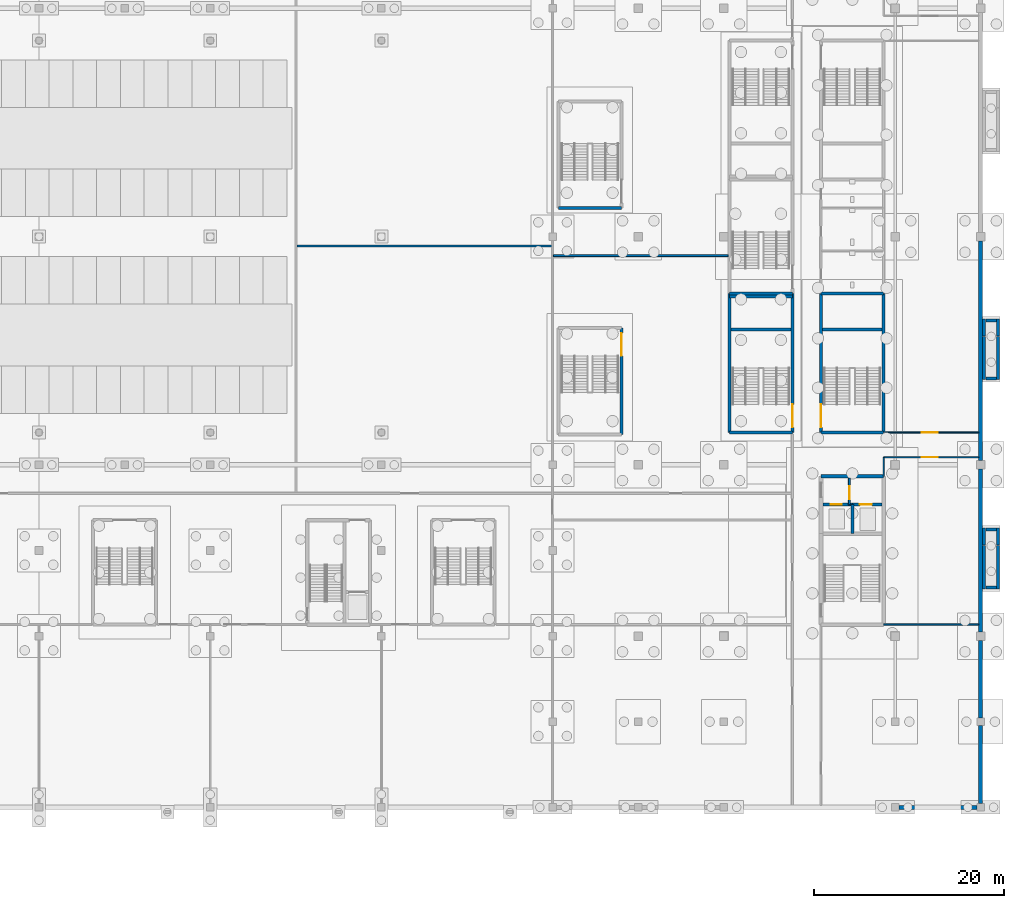
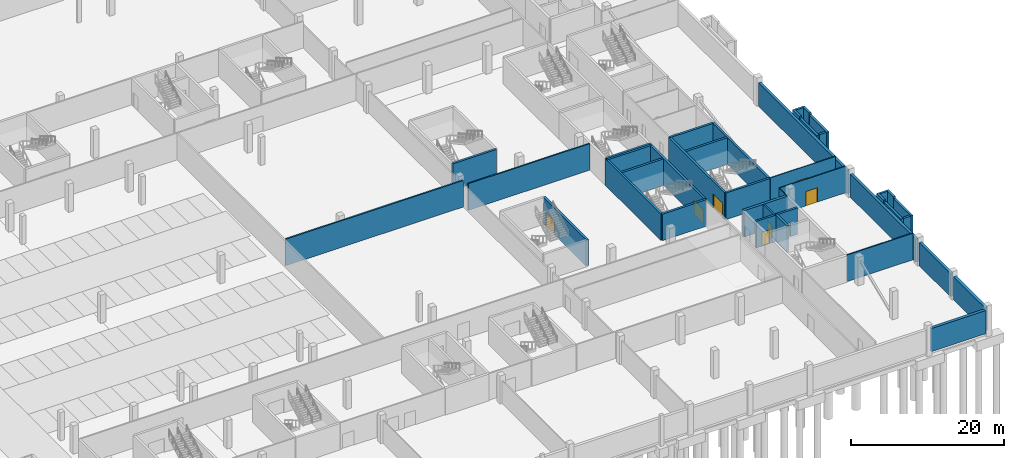
# One storey, part 22 of 46: 41 walls, 8 doors, 8 openings.
"""IFC4 building model written with IfcOpenShell, lengths in metres."""

from ifc_helpers import new_model, si_unit, direction, frame, frame_2d, origin, place, context, subcontext, project, spatial, rectangle, extrude, material, layer, layer_set, type_object, element, fill, save


model = new_model("IFC4")

# Units and contexts
model_context = context("Model", 3, precision=1e-05, world=origin(), true_north=direction((0.0, 1.0)))
body_context = subcontext(model_context, "Body", "Model", "MODEL_VIEW")
ifc_project = project(units=[si_unit("LENGTHUNIT", "METRE"), si_unit("AREAUNIT", "SQUARE_METRE"), si_unit("VOLUMEUNIT", "CUBIC_METRE"), si_unit("PLANEANGLEUNIT", "RADIAN"), si_unit("MASSUNIT", "GRAM", prefix="KILO")], contexts=[model_context])

# Site, building, storey
site_placement = place(None, origin())
site = spatial("IfcSite", under=ifc_project, at=site_placement, CompositionType="ELEMENT")
building_placement = place(site_placement, origin())
building = spatial("IfcBuilding", under=site, at=building_placement, Name="Kisiwana Market Hall", CompositionType="ELEMENT")
storey_placement = place(building_placement, frame((0.0, 0.0, -4.5)))
storey = spatial("IfcBuildingStorey", under=building, at=storey_placement, Name="B1", CompositionType="ELEMENT", Elevation=-4.5)

# Walls
ifc_material_1 = material(Name="Concrete C40/50", Category="concrete")
ifc_layer_1 = layer(ifc_material_1, 0.360107421875, Name="Waterproofed RC retaining wall")
ifc_material_2 = material(Name="Mineral wool insulation")
ifc_layer_2 = layer(ifc_material_2, 0.06005859375, Name="XPS drainage protection board")
ifc_layer_set_1 = layer_set([ifc_layer_1, ifc_layer_2], Name="WL-B1-RET-420")
wall_type_1 = type_object("IfcWallType", Name="WL-B1-RET-420", PredefinedType="STANDARD", material=ifc_layer_set_1)
for number, where, z_axis, x_axis, name in (
    (1, (189.39208984375, 0.0, 0.0), (0.0, 0.0, 1.0), (1.0, 0.0, 0.0), "Exterior wall W-0168"),
    (2, (198.0, 0.39208984375, 0.0), (0.0, 0.0, 1.0), (0.0, 1.0, 0.0), "Exterior wall W-0192"),
):
    element("IfcWall", number, at=place(storey_placement, frame(where, z_axis=z_axis, x_axis=x_axis)), inside=storey, type_object=wall_type_1, Name=name, PredefinedType="STANDARD", context=body_context, shape_type="SweptSolid", body=[
        extrude(rectangle(XDim=8.2158203125, YDim=0.419921875, at=frame_2d((4.10791015625, 0.0))), origin(), (0.0, 0.0, 1.0), 3.699951171875),
    ])
wall_1_placement = place(storey_placement, frame((198.0, 9.39208984375, 0.0), z_axis=(0.0, 0.0, 1.0), x_axis=(0.0, 1.0, 0.0)))
element("IfcWall", 3, at=wall_1_placement, inside=storey, type_object=wall_type_1, Name="Exterior wall W-0193", PredefinedType="STANDARD", context=body_context, shape_type="SweptSolid", body=[
    extrude(rectangle(XDim=8.166015625, YDim=0.419921875, at=frame_2d((4.0830078125, 0.0))), origin(), (0.0, 0.0, 1.0), 3.699951171875),
])
wall_2_placement = place(storey_placement, frame((198.0, 18.44189453125, 0.0), z_axis=(0.0, 0.0, 1.0), x_axis=(0.0, 1.0, 0.0)))
element("IfcWall", 4, at=wall_2_placement, inside=storey, type_object=wall_type_1, Name="Exterior wall W-0194", PredefinedType="STANDARD", context=body_context, shape_type="SweptSolid", body=[
    extrude(rectangle(XDim=17.1162109375, YDim=0.419921875, at=frame_2d((8.55810546875, 0.0))), origin(), (0.0, 0.0, 1.0), 3.699951171875),
])
wall_3_placement = place(storey_placement, frame((198.0, 36.44189453125, 0.0), z_axis=(0.0, 0.0, 1.0), x_axis=(0.0, 1.0, 0.0)))
element("IfcWall", 5, at=wall_3_placement, inside=storey, type_object=wall_type_1, Name="Exterior wall W-0195", PredefinedType="STANDARD", context=body_context, shape_type="SweptSolid", body=[
    extrude(rectangle(XDim=23.1162109375, YDim=0.419921875, at=frame_2d((11.55810546875, 0.0))), origin(), (0.0, 0.0, 1.0), 3.699951171875),
])
ifc_material_3 = material(Name="Steel S275", Category="steel")
ifc_layer_3 = layer(ifc_material_3, 0.010009765625, Name="Food-grade steel inner skin")
ifc_material_4 = material(Name="PIR insulation")
ifc_layer_4 = layer(ifc_material_4, 0.199951171875, Name="High-density PIR thermal core")
ifc_material_5 = material(Name="Steel S275", Category="steel")
ifc_layer_5 = layer(ifc_material_5, 0.010009765625, Name="Food-grade steel outer skin")
ifc_layer_set_2 = layer_set([ifc_layer_3, ifc_layer_4, ifc_layer_5], Name="WL-COLD-220")
wall_type_2 = type_object("IfcWallType", Name="WL-COLD-220", PredefinedType="PARTITIONING", material=ifc_layer_set_2)
wall_4_placement = place(storey_placement, frame((126.110107421875, 59.0, 0.0), z_axis=(0.0, 0.0, 1.0), x_axis=(1.0, 0.0, 0.0)))
element("IfcWall", 6, at=wall_4_placement, inside=storey, type_object=wall_type_2, Name="Interior partition W-0281", PredefinedType="PARTITIONING", context=body_context, shape_type="SweptSolid", body=[
    extrude(rectangle(XDim=26.804931640625, YDim=0.219970703125, at=frame_2d((13.40234375, 0.0))), origin(), (0.0, 0.0, 1.0), 4.239990234375),
])

# Wall, opening, door
ifc_material_6 = material(Name="Masonry blockwork", Category="masonry")
ifc_layer_6 = layer(ifc_material_6, 0.199951171875, Name="Plastered fire compartment block wall")
ifc_layer_set_3 = layer_set([ifc_layer_6], Name="WL-COMP-200")
wall_type_3 = type_object("IfcWallType", Name="WL-COMP-200", PredefinedType="PARTITIONING", material=ifc_layer_set_3)
wall_5_placement = place(storey_placement, frame((184.199951171875, 31.820068359375, 0.0), z_axis=(0.0, 0.0, 1.0), x_axis=(0.0, 1.0, 0.0)))
wall_5 = element("IfcWall", 7, at=wall_5_placement, inside=storey, type_object=wall_type_3, Name="Core E2 firefighting lobby wall W-0203", PredefinedType="PARTITIONING", context=body_context, shape_type="SweptSolid", body=[
    extrude(rectangle(XDim=2.780029296875, YDim=0.199951171875, at=frame_2d((1.39013671875, 0.0))), origin(), (0.0, 0.0, 1.0), 4.239990234375),
])
opening_1_placement = place(wall_5_placement, frame((0.550048828125, 0.0, 0.0)))
opening_1 = element("IfcOpeningElement", 8, at=opening_1_placement, cuts=wall_5, Name="Opening DR-B1-009", PredefinedType="OPENING", context=body_context, shape_type="SweptSolid", body=[
    extrude(rectangle(XDim=1.39990234375, YDim=2.25, at=frame_2d((0.699951171875, 1.125))), frame((0.0, 0.11181640625, 0.0), z_axis=(0.0, -1.0, 0.0), x_axis=(1.0, 0.0, 0.0)), (0.0, 0.0, 1.0), 0.223876953125),
])
ifc_material_7 = material(Name="Steel S275", Category="steel")
door_type_1 = type_object("IfcDoorType", Name="DR-FFLOB-FD120-1400", OperationType="DOUBLE_DOOR_SINGLE_SWING", PredefinedType="DOOR", material=ifc_material_7)
door_1_placement = place(opening_1_placement, origin())
door_1 = element("IfcDoor", 9, at=door_1_placement, inside=storey, type_object=door_type_1, Name="Firefighting Lift Lobby E2 Door (B1)", OperationType="DOUBLE_DOOR_SINGLE_SWING", OverallHeight=2.25, OverallWidth=1.39990234375, PredefinedType="DOOR", context=body_context, shape_type="SweptSolid", body=[
    extrude(rectangle(XDim=1.39990234375, YDim=2.25, at=frame_2d((0.699951171875, 1.125))), frame((0.0, 0.02490234375, 0.0), z_axis=(0.0, -1.0, 0.0), x_axis=(1.0, 0.0, 0.0)), (0.0, 0.0, 1.0), 0.050048828125),
])
fill(opening_1, door_1)

# Walls
wall_6_placement = place(storey_placement, frame((153.0849609375, 58.0, 0.0), z_axis=(0.0, 0.0, 1.0), x_axis=(1.0, 0.0, 0.0)))
element("IfcWall", 10, at=wall_6_placement, inside=storey, type_object=wall_type_3, Name="Interior partition W-0254", PredefinedType="PARTITIONING", context=body_context, shape_type="SweptSolid", body=[
    extrude(rectangle(XDim=18.35498046875, YDim=0.199951171875, at=frame_2d((9.177490234375, 0.0))), origin(), (0.0, 0.0, 1.0), 4.239990234375),
])
ifc_material_8 = material(Name="Concrete C40/50", Category="concrete")
ifc_layer_7 = layer(ifc_material_8, 0.320068359375, Name="Reinforced concrete shaft wall")
ifc_layer_set_4 = layer_set([ifc_layer_7], Name="WL-CORE-320")
wall_type_4 = type_object("IfcWallType", Name="WL-CORE-320", PredefinedType="SHEAR", material=ifc_layer_set_4)
for number, where, z_axis, x_axis, name in (
    (11, (198.360107421875, 22.949951171875, -0.449951171875), (0.0, 0.0, 1.0), (0.0, 1.0, 0.0), "Ramp support plinth wall 04-L W-0314"),
    (12, (199.840087890625, 22.949951171875, -0.449951171875), (0.0, 0.0, 1.0), (0.0, 1.0, 0.0), "Ramp support plinth wall 04-R W-0316"),
):
    element("IfcWall", number, at=place(storey_placement, frame(where, z_axis=z_axis, x_axis=x_axis)), inside=storey, type_object=wall_type_4, Name=name, PredefinedType="SHEAR", context=body_context, shape_type="SweptSolid", body=[
        extrude(rectangle(XDim=4.550048828125, YDim=0.320068359375, at=frame_2d((2.27490234375, 0.0))), origin(), (0.0, 0.0, 1.0), 4.449951171875),
    ])
for number, where, z_axis, x_axis, name in (
    (13, (198.360107421875, 27.550048828125, -0.449951171875), (0.0, 0.0, 1.0), (0.0, 1.0, 0.0), "Ramp support plinth wall 04-UL W-0318"),
    (14, (199.840087890625, 27.550048828125, -0.449951171875), (0.0, 0.0, 1.0), (0.0, 1.0, 0.0), "Ramp support plinth wall 04-UR W-0319"),
):
    element("IfcWall", number, at=place(storey_placement, frame(where, z_axis=z_axis, x_axis=x_axis)), inside=storey, type_object=wall_type_4, Name=name, PredefinedType="SHEAR", context=body_context, shape_type="SweptSolid", body=[
        extrude(rectangle(XDim=1.800048828125, YDim=0.320068359375, at=frame_2d((0.89990234375, 0.0))), origin(), (0.0, 0.0, 1.0), 4.699951171875),
    ])
wall_7_placement = place(storey_placement, frame((198.550048828125, 29.199951171875, -0.449951171875), z_axis=(0.0, 0.0, 1.0), x_axis=(1.0, 0.0, 0.0)))
element("IfcWall", 15, at=wall_7_placement, inside=storey, type_object=wall_type_4, Name="Ramp support plinth wall 04-UC W-0317", PredefinedType="SHEAR", context=body_context, shape_type="SweptSolid", body=[
    extrude(rectangle(XDim=1.099853515625, YDim=0.320068359375, at=frame_2d((0.5498046875, 0.0))), origin(), (0.0, 0.0, 1.0), 4.699951171875),
])
wall_8_placement = place(storey_placement, frame((198.550048828125, 23.10009765625, -0.449951171875), z_axis=(0.0, 0.0, 1.0), x_axis=(1.0, 0.0, 0.0)))
element("IfcWall", 16, at=wall_8_placement, inside=storey, type_object=wall_type_4, Name="Ramp support plinth wall 04-LC W-0315", PredefinedType="SHEAR", context=body_context, shape_type="SweptSolid", body=[
    extrude(rectangle(XDim=1.099853515625, YDim=0.320068359375, at=frame_2d((0.5498046875, 0.0))), origin(), (0.0, 0.0, 1.0), 4.449951171875),
])
for number, where, z_axis, x_axis, name in (
    (17, (198.360107421875, 44.949951171875, -0.449951171875), (0.0, 0.0, 1.0), (0.0, 1.0, 0.0), "Ramp support plinth wall 05-L W-0320"),
    (18, (199.840087890625, 44.949951171875, -0.449951171875), (0.0, 0.0, 1.0), (0.0, 1.0, 0.0), "Ramp support plinth wall 05-R W-0322"),
):
    element("IfcWall", number, at=place(storey_placement, frame(where, z_axis=z_axis, x_axis=x_axis)), inside=storey, type_object=wall_type_4, Name=name, PredefinedType="SHEAR", context=body_context, shape_type="SweptSolid", body=[
        extrude(rectangle(XDim=4.550048828125, YDim=0.320068359375, at=frame_2d((2.27490234375, 0.0))), origin(), (0.0, 0.0, 1.0), 4.449951171875),
    ])
for number, where, z_axis, x_axis, name in (
    (19, (198.360107421875, 49.550048828125, -0.449951171875), (0.0, 0.0, 1.0), (0.0, 1.0, 0.0), "Ramp support plinth wall 05-UL W-0324"),
    (20, (199.840087890625, 49.550048828125, -0.449951171875), (0.0, 0.0, 1.0), (0.0, 1.0, 0.0), "Ramp support plinth wall 05-UR W-0325"),
):
    element("IfcWall", number, at=place(storey_placement, frame(where, z_axis=z_axis, x_axis=x_axis)), inside=storey, type_object=wall_type_4, Name=name, PredefinedType="SHEAR", context=body_context, shape_type="SweptSolid", body=[
        extrude(rectangle(XDim=1.800048828125, YDim=0.320068359375, at=frame_2d((0.89990234375, 0.0))), origin(), (0.0, 0.0, 1.0), 4.699951171875),
    ])
wall_9_placement = place(storey_placement, frame((198.550048828125, 51.199951171875, -0.449951171875), z_axis=(0.0, 0.0, 1.0), x_axis=(1.0, 0.0, 0.0)))
element("IfcWall", 21, at=wall_9_placement, inside=storey, type_object=wall_type_4, Name="Ramp support plinth wall 05-UC W-0323", PredefinedType="SHEAR", context=body_context, shape_type="SweptSolid", body=[
    extrude(rectangle(XDim=1.099853515625, YDim=0.320068359375, at=frame_2d((0.5498046875, 0.0))), origin(), (0.0, 0.0, 1.0), 4.699951171875),
])
wall_10_placement = place(storey_placement, frame((198.550048828125, 45.10009765625, -0.449951171875), z_axis=(0.0, 0.0, 1.0), x_axis=(1.0, 0.0, 0.0)))
element("IfcWall", 22, at=wall_10_placement, inside=storey, type_object=wall_type_4, Name="Ramp support plinth wall 05-LC W-0321", PredefinedType="SHEAR", context=body_context, shape_type="SweptSolid", body=[
    extrude(rectangle(XDim=1.099853515625, YDim=0.320068359375, at=frame_2d((0.5498046875, 0.0))), origin(), (0.0, 0.0, 1.0), 4.449951171875),
])
wall_11_placement = place(storey_placement, frame((184.5, 28.760009765625, 0.0), z_axis=(0.0, 0.0, 1.0), x_axis=(0.0, 1.0, 0.0)))
element("IfcWall", 23, at=wall_11_placement, inside=storey, type_object=wall_type_4, Name="Core E2 inter-shaft shear wall W-0025", PredefinedType="SHEAR", context=body_context, shape_type="SweptSolid", body=[
    extrude(rectangle(XDim=3.06005859375, YDim=0.320068359375, at=frame_2d((1.530029296875, 0.0))), origin(), (0.0, 0.0, 1.0), 4.239990234375),
])

# Wall, opening, door
wall_12_placement = place(storey_placement, frame((181.39990234375, 31.820068359375, 0.0), z_axis=(0.0, 0.0, 1.0), x_axis=(1.0, 0.0, 0.0)))
wall_12 = element("IfcWall", 24, at=wall_12_placement, inside=storey, type_object=wall_type_4, Name="Core E2 west lift front wall W-0026", PredefinedType="SHEAR", context=body_context, shape_type="SweptSolid", body=[
    extrude(rectangle(XDim=3.10009765625, YDim=0.320068359375, at=frame_2d((1.550048828125, 0.0))), origin(), (0.0, 0.0, 1.0), 4.239990234375),
])
opening_2_placement = place(wall_12_placement, frame((0.85009765625, 0.0, 0.0)))
opening_2 = element("IfcOpeningElement", 25, at=opening_2_placement, cuts=wall_12, Name="Opening LD-B1-005", PredefinedType="OPENING", context=body_context, shape_type="SweptSolid", body=[
    extrude(rectangle(XDim=1.14990234375, YDim=2.199951171875, at=frame_2d((0.574951171875, 1.10009765625))), frame((0.0, 0.171875, 0.0), z_axis=(0.0, -1.0, 0.0), x_axis=(1.0, 0.0, 0.0)), (0.0, 0.0, 1.0), 0.343994140625),
])
ifc_material_9 = material(Name="Steel S275", Category="steel")
door_type_2 = type_object("IfcDoorType", Name="DR-LIFT-PAX-1150", OperationType="DOUBLE_DOOR_SLIDING", PredefinedType="DOOR", material=ifc_material_9)
door_2_placement = place(opening_2_placement, origin())
door_2 = element("IfcDoor", 26, at=door_2_placement, inside=storey, type_object=door_type_2, Name="Lift Landing Door LP-03 (B1)", OperationType="DOUBLE_DOOR_SLIDING", OverallHeight=2.199951171875, OverallWidth=1.14990234375, PredefinedType="DOOR", context=body_context, shape_type="SweptSolid", body=[
    extrude(rectangle(XDim=1.14990234375, YDim=2.199951171875, at=frame_2d((0.574951171875, 1.10009765625))), frame((0.0, 0.02490234375, 0.0), z_axis=(0.0, -1.0, 0.0), x_axis=(1.0, 0.0, 0.0)), (0.0, 0.0, 1.0), 0.050048828125),
])
fill(opening_2, door_2)

wall_13_placement = place(storey_placement, frame((184.5, 31.820068359375, 0.0), z_axis=(0.0, 0.0, 1.0), x_axis=(1.0, 0.0, 0.0)))
wall_13 = element("IfcWall", 27, at=wall_13_placement, inside=storey, type_object=wall_type_4, Name="Core E2 east lift front wall W-0027", PredefinedType="SHEAR", context=body_context, shape_type="SweptSolid", body=[
    extrude(rectangle(XDim=3.10009765625, YDim=0.320068359375, at=frame_2d((1.550048828125, 0.0))), origin(), (0.0, 0.0, 1.0), 4.239990234375),
])
opening_3_placement = place(wall_13_placement, frame((0.800048828125, 0.0, 0.0)))
opening_3 = element("IfcOpeningElement", 28, at=opening_3_placement, cuts=wall_13, Name="Opening LD-B1-006", PredefinedType="OPENING", context=body_context, shape_type="SweptSolid", body=[
    extrude(rectangle(XDim=1.25, YDim=2.25, at=frame_2d((0.625, 1.125))), frame((0.0, 0.171875, 0.0), z_axis=(0.0, -1.0, 0.0), x_axis=(1.0, 0.0, 0.0)), (0.0, 0.0, 1.0), 0.343994140625),
])
ifc_material_10 = material(Name="Steel S275", Category="steel")
door_type_3 = type_object("IfcDoorType", Name="DR-LIFT-FFL-1250", OperationType="DOUBLE_DOOR_SLIDING", PredefinedType="DOOR", material=ifc_material_10)
door_3_placement = place(opening_3_placement, origin())
door_3 = element("IfcDoor", 29, at=door_3_placement, inside=storey, type_object=door_type_3, Name="Lift Landing Door FFL-03 (B1)", OperationType="DOUBLE_DOOR_SLIDING", OverallHeight=2.25, OverallWidth=1.25, PredefinedType="DOOR", context=body_context, shape_type="SweptSolid", body=[
    extrude(rectangle(XDim=1.25, YDim=2.25, at=frame_2d((0.625, 1.125))), frame((0.0, 0.02490234375, 0.0), z_axis=(0.0, -1.0, 0.0), x_axis=(1.0, 0.0, 0.0)), (0.0, 0.0, 1.0), 0.050048828125),
])
fill(opening_3, door_3)

# Walls
for number, where, z_axis, x_axis, name in (
    (30, (181.199951171875, 39.39990234375, 0.0), (0.0, 0.0, 1.0), (1.0, 0.0, 0.0), "Core E3 south shear wall W-0069"),
    (31, (181.199951171875, 54.0, 0.0), (0.0, 0.0, 1.0), (1.0, 0.0, 0.0), "Core E3 north shear wall W-0070"),
):
    element("IfcWall", number, at=place(storey_placement, frame(where, z_axis=z_axis, x_axis=x_axis)), inside=storey, type_object=wall_type_4, Name=name, PredefinedType="SHEAR", context=body_context, shape_type="SweptSolid", body=[
        extrude(rectangle(XDim=6.60009765625, YDim=0.320068359375, at=frame_2d((3.300048828125, 0.0))), origin(), (0.0, 0.0, 1.0), 4.239990234375),
    ])

# Wall, opening, door
wall_14_placement = place(storey_placement, frame((181.199951171875, 39.39990234375, 0.0), z_axis=(0.0, 0.0, 1.0), x_axis=(0.0, 1.0, 0.0)))
wall_14 = element("IfcWall", 32, at=wall_14_placement, inside=storey, type_object=wall_type_4, Name="Core E3 corridor shear wall W-0071", PredefinedType="SHEAR", context=body_context, shape_type="SweptSolid", body=[
    extrude(rectangle(XDim=14.60009765625, YDim=0.320068359375, at=frame_2d((7.300048828125, 0.0))), origin(), (0.0, 0.0, 1.0), 4.239990234375),
])
opening_4_placement = place(wall_14_placement, frame((0.550048828125, 0.0, 0.0)))
opening_4 = element("IfcOpeningElement", 33, at=opening_4_placement, cuts=wall_14, Name="Opening DR-B1-021", PredefinedType="OPENING", context=body_context, shape_type="SweptSolid", body=[
    extrude(rectangle(XDim=2.39990234375, YDim=2.25, at=frame_2d((1.199951171875, 1.125))), frame((0.0, 0.171875, 0.0), z_axis=(0.0, -1.0, 0.0), x_axis=(1.0, 0.0, 0.0)), (0.0, 0.0, 1.0), 0.343994140625),
])
ifc_material_11 = material(Name="Steel S275", Category="steel")
door_type_4 = type_object("IfcDoorType", Name="DR-STAIR-FD120-2400", OperationType="DOUBLE_DOOR_SINGLE_SWING", PredefinedType="DOOR", material=ifc_material_11)
door_4_placement = place(opening_4_placement, frame((2.39990234375, 0.0, 0.0), z_axis=(0.0, 0.0, 1.0), x_axis=(-1.0, 0.0, 0.0)))
door_4 = element("IfcDoor", 34, at=door_4_placement, inside=storey, type_object=door_type_4, Name="Escape Stair E3 Fire Door (B1)", OperationType="DOUBLE_DOOR_SINGLE_SWING", OverallHeight=2.25, OverallWidth=2.39990234375, PredefinedType="DOOR", context=body_context, shape_type="SweptSolid", body=[
    extrude(rectangle(XDim=2.39990234375, YDim=2.25, at=frame_2d((1.199951171875, 1.125))), frame((0.0, 0.02490234375, 0.0), z_axis=(0.0, -1.0, 0.0), x_axis=(1.0, 0.0, 0.0)), (0.0, 0.0, 1.0), 0.050048828125),
])
fill(opening_4, door_4)

# Walls
wall_15_placement = place(storey_placement, frame((187.800048828125, 39.39990234375, 0.0), z_axis=(0.0, 0.0, 1.0), x_axis=(0.0, 1.0, 0.0)))
element("IfcWall", 35, at=wall_15_placement, inside=storey, type_object=wall_type_4, Name="Core E3 outer shear wall W-0072", PredefinedType="SHEAR", context=body_context, shape_type="SweptSolid", body=[
    extrude(rectangle(XDim=14.60009765625, YDim=0.320068359375, at=frame_2d((7.300048828125, 0.0))), origin(), (0.0, 0.0, 1.0), 4.239990234375),
])
wall_16_placement = place(storey_placement, frame((181.360107421875, 50.219970703125, 0.0), z_axis=(0.0, 0.0, 1.0), x_axis=(1.0, 0.0, 0.0)))
element("IfcWall", 36, at=wall_16_placement, inside=storey, type_object=wall_type_4, Name="Core E3 riser divider shear wall W-0073", PredefinedType="SHEAR", context=body_context, shape_type="SweptSolid", body=[
    extrude(rectangle(XDim=6.27978515625, YDim=0.320068359375, at=frame_2d((3.139892578125, 0.0))), origin(), (0.0, 0.0, 1.0), 4.239990234375),
])
for number, where, z_axis, x_axis, name in (
    (37, (171.60009765625, 39.39990234375, 0.0), (0.0, 0.0, 1.0), (1.0, 0.0, 0.0), "Core E7 south shear wall W-0084"),
    (38, (171.60009765625, 54.0, 0.0), (0.0, 0.0, 1.0), (1.0, 0.0, 0.0), "Core E7 north shear wall W-0085"),
):
    element("IfcWall", number, at=place(storey_placement, frame(where, z_axis=z_axis, x_axis=x_axis)), inside=storey, type_object=wall_type_4, Name=name, PredefinedType="SHEAR", context=body_context, shape_type="SweptSolid", body=[
        extrude(rectangle(XDim=6.599853515625, YDim=0.320068359375, at=frame_2d((3.2998046875, 0.0))), origin(), (0.0, 0.0, 1.0), 4.239990234375),
    ])
wall_17_placement = place(storey_placement, frame((171.60009765625, 39.39990234375, 0.0), z_axis=(0.0, 0.0, 1.0), x_axis=(0.0, 1.0, 0.0)))
element("IfcWall", 39, at=wall_17_placement, inside=storey, type_object=wall_type_4, Name="Core E7 outer shear wall W-0086", PredefinedType="SHEAR", context=body_context, shape_type="SweptSolid", body=[
    extrude(rectangle(XDim=14.60009765625, YDim=0.320068359375, at=frame_2d((7.300048828125, 0.0))), origin(), (0.0, 0.0, 1.0), 4.239990234375),
])

# Wall, opening, door
wall_18_placement = place(storey_placement, frame((178.199951171875, 39.39990234375, 0.0), z_axis=(0.0, 0.0, 1.0), x_axis=(0.0, 1.0, 0.0)))
wall_18 = element("IfcWall", 40, at=wall_18_placement, inside=storey, type_object=wall_type_4, Name="Core E7 corridor shear wall W-0087", PredefinedType="SHEAR", context=body_context, shape_type="SweptSolid", body=[
    extrude(rectangle(XDim=14.60009765625, YDim=0.320068359375, at=frame_2d((7.300048828125, 0.0))), origin(), (0.0, 0.0, 1.0), 4.239990234375),
])
opening_5_placement = place(wall_18_placement, frame((0.550048828125, 0.0, 0.0)))
opening_5 = element("IfcOpeningElement", 41, at=opening_5_placement, cuts=wall_18, Name="Opening DR-B1-024", PredefinedType="OPENING", context=body_context, shape_type="SweptSolid", body=[
    extrude(rectangle(XDim=2.39990234375, YDim=2.25, at=frame_2d((1.199951171875, 1.125))), frame((0.0, 0.171875, 0.0), z_axis=(0.0, -1.0, 0.0), x_axis=(1.0, 0.0, 0.0)), (0.0, 0.0, 1.0), 0.343994140625),
])
door_5_placement = place(opening_5_placement, origin())
door_5 = element("IfcDoor", 42, at=door_5_placement, inside=storey, type_object=door_type_4, Name="Escape Stair E7 Fire Door (B1)", OperationType="DOUBLE_DOOR_SINGLE_SWING", OverallHeight=2.25, OverallWidth=2.39990234375, PredefinedType="DOOR", context=body_context, shape_type="SweptSolid", body=[
    extrude(rectangle(XDim=2.39990234375, YDim=2.25, at=frame_2d((1.199951171875, 1.125))), frame((0.0, 0.02490234375, 0.0), z_axis=(0.0, -1.0, 0.0), x_axis=(1.0, 0.0, 0.0)), (0.0, 0.0, 1.0), 0.050048828125),
])
fill(opening_5, door_5)

# Wall
wall_19_placement = place(storey_placement, frame((171.760009765625, 50.219970703125, 0.0), z_axis=(0.0, 0.0, 1.0), x_axis=(1.0, 0.0, 0.0)))
element("IfcWall", 43, at=wall_19_placement, inside=storey, type_object=wall_type_4, Name="Core E7 riser divider shear wall W-0088", PredefinedType="SHEAR", context=body_context, shape_type="SweptSolid", body=[
    extrude(rectangle(XDim=6.280029296875, YDim=0.320068359375, at=frame_2d((3.14013671875, 0.0))), origin(), (0.0, 0.0, 1.0), 4.239990234375),
])

# Wall, opening, door
wall_20_placement = place(storey_placement, frame((160.22998046875, 39.199951171875, 0.0), z_axis=(0.0, 0.0, 1.0), x_axis=(0.0, 1.0, 0.0)))
wall_20 = element("IfcWall", 44, at=wall_20_placement, inside=storey, type_object=wall_type_4, Name="Core E9 corridor shear wall W-0106", PredefinedType="SHEAR", context=body_context, shape_type="SweptSolid", body=[
    extrude(rectangle(XDim=11.199951171875, YDim=0.320068359375, at=frame_2d((5.60009765625, 0.0))), origin(), (0.0, 0.0, 1.0), 4.239990234375),
])
opening_6_placement = place(wall_20_placement, frame((8.25, 0.0, 0.0)))
opening_6 = element("IfcOpeningElement", 45, at=opening_6_placement, cuts=wall_20, Name="Opening DR-B1-028", PredefinedType="OPENING", context=body_context, shape_type="SweptSolid", body=[
    extrude(rectangle(XDim=2.39990234375, YDim=2.25, at=frame_2d((1.199951171875, 1.125))), frame((0.0, 0.171875, 0.0), z_axis=(0.0, -1.0, 0.0), x_axis=(1.0, 0.0, 0.0)), (0.0, 0.0, 1.0), 0.343994140625),
])
door_6_placement = place(opening_6_placement, origin())
door_6 = element("IfcDoor", 46, at=door_6_placement, inside=storey, type_object=door_type_4, Name="Escape Stair E9 Fire Door (B1)", OperationType="DOUBLE_DOOR_SINGLE_SWING", OverallHeight=2.25, OverallWidth=2.39990234375, PredefinedType="DOOR", context=body_context, shape_type="SweptSolid", body=[
    extrude(rectangle(XDim=2.39990234375, YDim=2.25, at=frame_2d((1.199951171875, 1.125))), frame((0.0, 0.02490234375, 0.0), z_axis=(0.0, -1.0, 0.0), x_axis=(1.0, 0.0, 0.0)), (0.0, 0.0, 1.0), 0.050048828125),
])
fill(opening_6, door_6)

# Walls
wall_21_placement = place(storey_placement, frame((153.6298828125, 63.0, 0.0), z_axis=(0.0, 0.0, 1.0), x_axis=(1.0, 0.0, 0.0)))
element("IfcWall", 47, at=wall_21_placement, inside=storey, type_object=wall_type_4, Name="Core E10 south shear wall W-0111", PredefinedType="SHEAR", context=body_context, shape_type="SweptSolid", body=[
    extrude(rectangle(XDim=6.60009765625, YDim=0.320068359375, at=frame_2d((3.300048828125, 0.0))), origin(), (0.0, 0.0, 1.0), 4.239990234375),
])
wall_22_placement = place(storey_placement, frame((171.60009765625, 53.679931640625, 0.0), z_axis=(0.0, 0.0, 1.0), x_axis=(1.0, 0.0, 0.0)))
element("IfcWall", 48, at=wall_22_placement, inside=storey, type_object=wall_type_4, Name="Core E5 south shear wall W-0119", PredefinedType="SHEAR", context=body_context, shape_type="SweptSolid", body=[
    extrude(rectangle(XDim=6.599853515625, YDim=0.320068359375, at=frame_2d((3.2998046875, 0.0))), origin(), (0.0, 0.0, 1.0), 4.239990234375),
])
ifc_material_12 = material(Name="Concrete C40/50", Category="concrete")
ifc_layer_8 = layer(ifc_material_12, 0.39990234375, Name="Reinforced concrete core wall")
ifc_layer_set_5 = layer_set([ifc_layer_8], Name="WL-CORE-400")
wall_type_5 = type_object("IfcWallType", Name="WL-CORE-400", PredefinedType="SHEAR", material=ifc_layer_set_5)
wall_23_placement = place(storey_placement, frame((181.199951171875, 34.800048828125, 0.0), z_axis=(0.0, 0.0, 1.0), x_axis=(1.0, 0.0, 0.0)))
element("IfcWall", 49, at=wall_23_placement, inside=storey, type_object=wall_type_5, Name="Core E2 north shear wall W-0020", PredefinedType="SHEAR", context=body_context, shape_type="SweptSolid", body=[
    extrude(rectangle(XDim=6.60009765625, YDim=0.39990234375, at=frame_2d((3.300048828125, 0.0))), origin(), (0.0, 0.0, 1.0), 4.239990234375),
])
ifc_material_13 = material(Name="Masonry blockwork", Category="masonry")
ifc_layer_9 = layer(ifc_material_13, 0.169921875, Name="Protected corridor partition")
ifc_layer_set_6 = layer_set([ifc_layer_9], Name="WL-CORR-170")
wall_type_6 = type_object("IfcWallType", Name="WL-CORR-170", PredefinedType="PARTITIONING", material=ifc_layer_set_6)
wall_24_placement = place(storey_placement, frame((187.800048828125, 19.199951171875, 0.0), z_axis=(0.0, 0.0, 1.0), x_axis=(1.0, 0.0, 0.0)))
element("IfcWall", 50, at=wall_24_placement, inside=storey, type_object=wall_type_6, Name="Interior partition W-0243", PredefinedType="PARTITIONING", context=body_context, shape_type="SweptSolid", body=[
    extrude(rectangle(XDim=9.989990234375, YDim=0.169921875, at=frame_2d((4.9951171875, 0.0))), origin(), (0.0, 0.0, 1.0), 4.239990234375),
])
ifc_material_14 = material(Name="Gypsum plasterboard")
ifc_layer_10 = layer(ifc_material_14, 0.125, Name="Double gypsum board + acoustic stud")
ifc_layer_set_7 = layer_set([ifc_layer_10], Name="WL-OFF-125")
wall_type_7 = type_object("IfcWallType", Name="WL-OFF-125", PredefinedType="PARTITIONING", material=ifc_layer_set_7)
wall_25_placement = place(storey_placement, frame((187.800048828125, 34.800048828125, 0.0), z_axis=(0.0, 0.0, 1.0), x_axis=(0.0, 1.0, 0.0)))
element("IfcWall", 51, at=wall_25_placement, inside=storey, type_object=wall_type_7, Name="Interior partition W-0241", PredefinedType="PARTITIONING", context=body_context, shape_type="SweptSolid", body=[
    extrude(rectangle(XDim=2.0, YDim=0.125, at=frame_2d((1.0, 0.0))), origin(), (0.0, 0.0, 1.0), 4.239990234375),
])

# Wall, opening, door
wall_26_placement = place(storey_placement, frame((187.800048828125, 36.800048828125, 0.0), z_axis=(0.0, 0.0, 1.0), x_axis=(1.0, 0.0, 0.0)))
wall_26 = element("IfcWall", 52, at=wall_26_placement, inside=storey, type_object=wall_type_7, Name="Interior partition W-0245", PredefinedType="PARTITIONING", context=body_context, shape_type="SweptSolid", body=[
    extrude(rectangle(XDim=9.989990234375, YDim=0.125, at=frame_2d((4.9951171875, 0.0))), origin(), (0.0, 0.0, 1.0), 4.239990234375),
])
opening_7_placement = place(wall_26_placement, frame((4.0, 0.0, 0.0)))
opening_7 = element("IfcOpeningElement", 53, at=opening_7_placement, cuts=wall_26, Name="Opening DR-B1-063", PredefinedType="OPENING", context=body_context, shape_type="SweptSolid", body=[
    extrude(rectangle(XDim=1.699951171875, YDim=2.300048828125, at=frame_2d((0.85009765625, 1.14990234375))), frame((0.0, 0.074462890625, 0.0), z_axis=(0.0, -1.0, 0.0), x_axis=(1.0, 0.0, 0.0)), (0.0, 0.0, 1.0), 0.14892578125),
])
ifc_material_15 = material(Name="Aluminium alloy 6063-T6", Category="aluminium")
door_type_5 = type_object("IfcDoorType", Name="DR-SHOP-1700", OperationType="DOUBLE_DOOR_SINGLE_SWING", PredefinedType="DOOR", material=ifc_material_15)
door_7_placement = place(opening_7_placement, frame((1.699951171875, 0.0, 0.0), z_axis=(0.0, 0.0, 1.0), x_axis=(-1.0, 0.0, 0.0)))
door_7 = element("IfcDoor", 54, at=door_7_placement, inside=storey, type_object=door_type_5, Name="B1 E Retail Shop South Door", OperationType="DOUBLE_DOOR_SINGLE_SWING", OverallHeight=2.300048828125, OverallWidth=1.699951171875, PredefinedType="DOOR", context=body_context, shape_type="SweptSolid", body=[
    extrude(rectangle(XDim=1.699951171875, YDim=2.300048828125, at=frame_2d((0.85009765625, 1.14990234375))), frame((0.0, 0.02490234375, 0.0), z_axis=(0.0, -1.0, 0.0), x_axis=(1.0, 0.0, 0.0)), (0.0, 0.0, 1.0), 0.050048828125),
])
fill(opening_7, door_7)

wall_27_placement = place(storey_placement, frame((187.9599609375, 39.39990234375, 0.0), z_axis=(0.0, 0.0, 1.0), x_axis=(1.0, 0.0, 0.0)))
wall_27 = element("IfcWall", 55, at=wall_27_placement, inside=storey, type_object=wall_type_7, Name="Interior partition W-0246", PredefinedType="PARTITIONING", context=body_context, shape_type="SweptSolid", body=[
    extrude(rectangle(XDim=9.830078125, YDim=0.125, at=frame_2d((4.9150390625, 0.0))), origin(), (0.0, 0.0, 1.0), 4.239990234375),
])
opening_8_placement = place(wall_27_placement, frame((3.840087890625, 0.0, 0.0)))
opening_8 = element("IfcOpeningElement", 56, at=opening_8_placement, cuts=wall_27, Name="Opening DR-B1-064", PredefinedType="OPENING", context=body_context, shape_type="SweptSolid", body=[
    extrude(rectangle(XDim=1.699951171875, YDim=2.300048828125, at=frame_2d((0.85009765625, 1.14990234375))), frame((0.0, 0.074462890625, 0.0), z_axis=(0.0, -1.0, 0.0), x_axis=(1.0, 0.0, 0.0)), (0.0, 0.0, 1.0), 0.14892578125),
])
door_8_placement = place(opening_8_placement, origin())
door_8 = element("IfcDoor", 57, at=door_8_placement, inside=storey, type_object=door_type_5, Name="B1 E Retail Shop Central Door", OperationType="DOUBLE_DOOR_SINGLE_SWING", OverallHeight=2.300048828125, OverallWidth=1.699951171875, PredefinedType="DOOR", context=body_context, shape_type="SweptSolid", body=[
    extrude(rectangle(XDim=1.699951171875, YDim=2.300048828125, at=frame_2d((0.85009765625, 1.14990234375))), frame((0.0, 0.02490234375, 0.0), z_axis=(0.0, -1.0, 0.0), x_axis=(1.0, 0.0, 0.0)), (0.0, 0.0, 1.0), 0.050048828125),
])
fill(opening_8, door_8)

save(model, "model.ifc")
